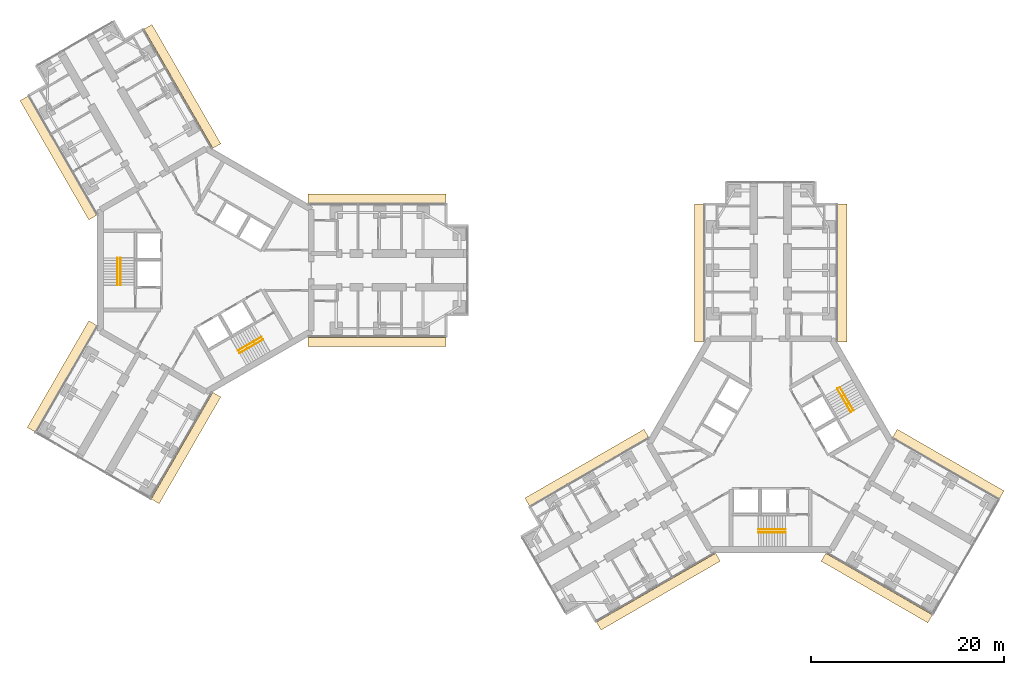
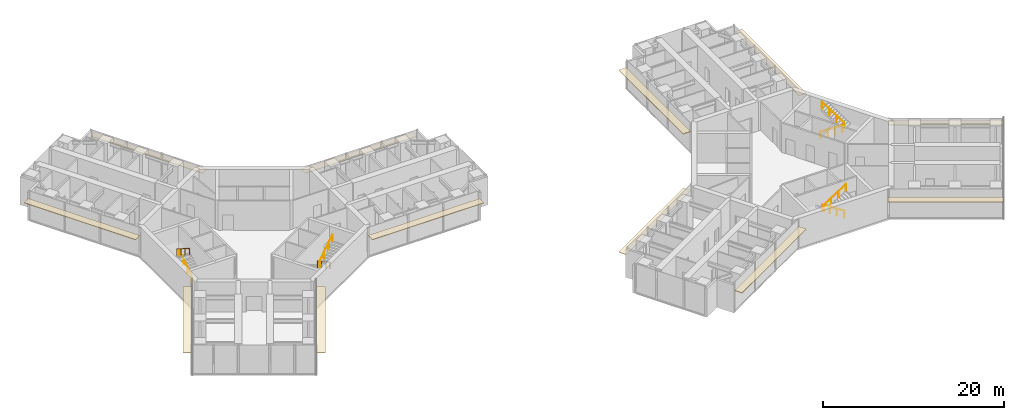
# One storey, part 22 of 22: 12 coverings, 8 railings.
"""IFC4 building model written with IfcOpenShell, lengths in metres."""

from ifc_helpers import new_model, si_unit, direction, frame, origin, origin_2d, place, context, subcontext, project, spatial, rectangle, circle, extrude, material, layer, layer_set, type_object, element, save


model = new_model("IFC4")

# Units and contexts
model_context = context("Model", 3, precision=1e-05, world=origin(), true_north=direction((0.0, 1.0)))
body_context = subcontext(model_context, "Body", "Model", "MODEL_VIEW")
ifc_project = project(units=[si_unit("LENGTHUNIT", "METRE"), si_unit("AREAUNIT", "SQUARE_METRE"), si_unit("VOLUMEUNIT", "CUBIC_METRE"), si_unit("PLANEANGLEUNIT", "RADIAN"), si_unit("MASSUNIT", "GRAM", prefix="KILO")], contexts=[model_context])

# Site, building, storey
site_placement = place(None, origin())
site = spatial("IfcSite", under=ifc_project, at=site_placement, CompositionType="ELEMENT")
building_placement = place(site_placement, origin())
building = spatial("IfcBuilding", under=site, at=building_placement, Name="Upepo Twin Towers", CompositionType="ELEMENT")
storey_placement = place(building_placement, frame((0.0, 0.0, 133.5)))
storey = spatial("IfcBuildingStorey", under=building, at=storey_placement, Name="L32", CompositionType="ELEMENT", Elevation=133.5)

# Coverings
ifc_material_1 = material(Name="Anodised aluminium, pale silver", Category="aluminium")
ifc_layer = layer(ifc_material_1, 0.080078125)
ifc_layer_set = layer_set([ifc_layer], Name="Brise-soleil blade 950 pale aluminium")
covering_type = type_object("IfcCoveringType", Name="Brise-soleil blade 950 pale aluminium", PredefinedType="USERDEFINED", material=ifc_layer_set)
for number, where, z_axis, x_axis, name in (
    (1, (17.718505859375, 7.4150390625, 2.909912109375), (0.0, 0.0, 1.0), (1.0, 0.0, 0.0), "T1 L32 wing A brise-soleil L"),
    (2, (17.718505859375, -7.4150390625, 2.909912109375), (0.0, 0.0, 1.0), (1.0, 0.0, 0.0), "T1 L32 wing A brise-soleil R"),
    (3, (-15.28076171875, 11.63720703125, 2.909912109375), (0.0, 0.0, 1.0), (-0.499999954655, 0.866025429964, 0.0), "T1 L32 wing B brise-soleil L"),
    (4, (-2.437744140625, 19.05224609375, 2.909912109375), (0.0, 0.0, 1.0), (-0.500000015115, 0.866025395058, 0.0), "T1 L32 wing B brise-soleil R"),
):
    element("IfcCovering", number, at=place(storey_placement, frame(where, z_axis=z_axis, x_axis=x_axis)), inside=storey, type_object=covering_type, Name=name, ObjectType="SUNSHADE", PredefinedType="USERDEFINED", context=body_context, shape_type="SweptSolid", body=[
        extrude(rectangle(XDim=14.262939453125, YDim=0.949951171875, at=origin_2d()), origin(), (0.0, 0.0, 1.0), 0.080078125),
    ])
for number, where, z_axis, x_axis, name in (
    (5, (-2.062744140625, -18.402587890625, 2.909912109375), (0.0, 0.0, 1.0), (-0.500000015115, -0.866025395058, 0.0), "T1 L32 wing C brise-soleil L"),
    (6, (-14.90576171875, -10.98779296875, 2.909912109375), (0.0, 0.0, 1.0), (-0.499999954655, -0.866025429964, 0.0), "T1 L32 wing C brise-soleil R"),
):
    element("IfcCovering", number, at=place(storey_placement, frame(where, z_axis=z_axis, x_axis=x_axis)), inside=storey, type_object=covering_type, Name=name, ObjectType="SUNSHADE", PredefinedType="USERDEFINED", context=body_context, shape_type="SweptSolid", body=[
        extrude(rectangle(XDim=12.762939453125, YDim=0.949951171875, at=origin_2d()), origin(), (0.0, 0.0, 1.0), 0.080078125),
    ])
for number, where, z_axis, x_axis, name in (
    (7, (51.0849609375, -0.281494140625, 2.909912109375), (0.0, 0.0, 1.0), (0.0, 1.0, 0.0), "T2 L32 wing A brise-soleil L"),
    (8, (65.9150390625, -0.281494140625, 2.909912109375), (0.0, 0.0, 1.0), (0.0, 1.0, 0.0), "T2 L32 wing A brise-soleil R"),
    (9, (46.86279296875, -33.28076171875, 2.909912109375), (0.0, 0.0, 1.0), (-0.866025429964, -0.499999954655, 0.0), "T2 L32 wing B brise-soleil L"),
    (10, (39.44775390625, -20.437744140625, 2.909912109375), (0.0, 0.0, 1.0), (-0.866025395058, -0.500000015115, 0.0), "T2 L32 wing B brise-soleil R"),
):
    element("IfcCovering", number, at=place(storey_placement, frame(where, z_axis=z_axis, x_axis=x_axis)), inside=storey, type_object=covering_type, Name=name, ObjectType="SUNSHADE", PredefinedType="USERDEFINED", context=body_context, shape_type="SweptSolid", body=[
        extrude(rectangle(XDim=14.262939453125, YDim=0.949951171875, at=origin_2d()), origin(), (0.0, 0.0, 1.0), 0.080078125),
    ])
for number, where, z_axis, x_axis, name in (
    (11, (76.902587890625, -20.062744140625, 2.909912109375), (0.0, 0.0, 1.0), (0.866025395058, -0.500000015115, 0.0), "T2 L32 wing C brise-soleil L"),
    (12, (69.48779296875, -32.90576171875, 2.909912109375), (0.0, 0.0, 1.0), (0.866025429964, -0.499999954655, 0.0), "T2 L32 wing C brise-soleil R"),
):
    element("IfcCovering", number, at=place(storey_placement, frame(where, z_axis=z_axis, x_axis=x_axis)), inside=storey, type_object=covering_type, Name=name, ObjectType="SUNSHADE", PredefinedType="USERDEFINED", context=body_context, shape_type="SweptSolid", body=[
        extrude(rectangle(XDim=12.762939453125, YDim=0.949951171875, at=origin_2d()), origin(), (0.0, 0.0, 1.0), 0.080078125),
    ])

# Railings
ifc_material_2 = material(Name="Stainless steel", Category="steel")
railing_type = type_object("IfcRailingType", Name="Stair handrail 900", PredefinedType="HANDRAIL", material=ifc_material_2)
railing_1_placement = place(storey_placement, frame((-8.85009765625, -1.52001953125, 0.181884765625)))
element("IfcRailing", 13, at=railing_1_placement, inside=storey, type_object=railing_type, Name="T1 stair S1 L32 handrail 1", PredefinedType="HANDRAIL", context=body_context, shape_type="SweptSolid", body=[
    extrude(circle(Radius=0.02392578125, at=origin_2d()), frame((0.0, 0.0, 0.8759765625), z_axis=(0.0, 0.838705829183, 0.544584733623), x_axis=(-1.0, 0.0, 0.0)), (0.0, 0.0, 1.0), 3.338623046875),
    extrude(circle(Radius=0.02099609375, at=origin_2d()), origin(), (0.0, 0.0, 1.0), 0.851806640625),
    extrude(circle(Radius=0.02099609375, at=origin_2d()), frame((0.0, 0.933349609375, 0.60595703125)), (0.0, 0.0, 1.0), 0.851806640625),
    extrude(circle(Radius=0.02099609375, at=origin_2d()), frame((0.0, 1.86669921875, 1.212158203125)), (0.0, 0.0, 1.0), 0.851806640625),
    extrude(circle(Radius=0.02099609375, at=origin_2d()), frame((0.0, 2.800048828125, 1.818115234375)), (0.0, 0.0, 1.0), 0.851806640625),
])
railing_2_placement = place(storey_placement, frame((-9.158447265625, 1.280029296875, 2.181884765625)))
element("IfcRailing", 14, at=railing_2_placement, inside=storey, type_object=railing_type, Name="T1 stair S1 L32 handrail 2", PredefinedType="HANDRAIL", context=body_context, shape_type="SweptSolid", body=[
    extrude(circle(Radius=0.02392578125, at=origin_2d()), frame((0.0, 0.0, 0.8759765625), z_axis=(0.0, -0.838705829183, 0.544584733623), x_axis=(1.0, 0.0, 0.0)), (0.0, 0.0, 1.0), 3.338623046875),
    extrude(circle(Radius=0.02099609375, at=origin_2d()), origin(), (0.0, 0.0, 1.0), 0.851806640625),
    extrude(circle(Radius=0.02099609375, at=origin_2d()), frame((0.0, -0.933349609375, 0.60595703125)), (0.0, 0.0, 1.0), 0.851806640625),
    extrude(circle(Radius=0.02099609375, at=origin_2d()), frame((0.0, -1.86669921875, 1.212158203125)), (0.0, 0.0, 1.0), 0.851806640625),
    extrude(circle(Radius=0.02099609375, at=origin_2d()), frame((0.0, -2.800048828125, 1.818115234375)), (0.0, 0.0, 1.0), 0.851806640625),
])
railing_3_placement = place(storey_placement, frame((5.741455078125, -6.904296875, 0.181884765625)))
element("IfcRailing", 15, at=railing_3_placement, inside=storey, type_object=railing_type, Name="T1 stair S2 L32 handrail 1", PredefinedType="HANDRAIL", context=body_context, shape_type="SweptSolid", body=[
    extrude(circle(Radius=0.02392578125, at=origin_2d()), frame((0.0, 0.0, 0.8759765625), z_axis=(-0.726348578268, -0.419370693282, 0.544560340518), x_axis=(0.500011755427, -0.866018616679, 0.0)), (0.0, 0.0, 1.0), 3.338623046875),
    extrude(circle(Radius=0.02099609375, at=origin_2d()), origin(), (0.0, 0.0, 1.0), 0.851806640625),
    extrude(circle(Radius=0.02099609375, at=origin_2d()), frame((-0.808349609375, -0.466796875, 0.60595703125)), (0.0, 0.0, 1.0), 0.851806640625),
    extrude(circle(Radius=0.02099609375, at=origin_2d()), frame((-1.61669921875, -0.933349609375, 1.212158203125)), (0.0, 0.0, 1.0), 0.851806640625),
    extrude(circle(Radius=0.02099609375, at=origin_2d()), frame((-2.425048828125, -1.400146484375, 1.818115234375)), (0.0, 0.0, 1.0), 0.851806640625),
])
railing_4_placement = place(storey_placement, frame((3.470703125, -8.5712890625, 2.181884765625)))
element("IfcRailing", 16, at=railing_4_placement, inside=storey, type_object=railing_type, Name="T1 stair S2 L32 handrail 2", PredefinedType="HANDRAIL", context=body_context, shape_type="SweptSolid", body=[
    extrude(circle(Radius=0.02392578125, at=origin_2d()), frame((0.0, 0.0, 0.8759765625), z_axis=(0.726336304947, 0.419332699614, 0.544605966869), x_axis=(-0.49998411664, 0.866034573852, 0.0)), (0.0, 0.0, 1.0), 3.33837890625),
    extrude(circle(Radius=0.02099609375, at=origin_2d()), origin(), (0.0, 0.0, 1.0), 0.851806640625),
    extrude(circle(Radius=0.02099609375, at=origin_2d()), frame((0.808349609375, 0.466552734375, 0.60595703125)), (0.0, 0.0, 1.0), 0.851806640625),
    extrude(circle(Radius=0.02099609375, at=origin_2d()), frame((1.616455078125, 0.933349609375, 1.212158203125)), (0.0, 0.0, 1.0), 0.851806640625),
    extrude(circle(Radius=0.02099609375, at=origin_2d()), frame((2.4248046875, 1.39990234375, 1.818115234375)), (0.0, 0.0, 1.0), 0.851806640625),
])
railing_5_placement = place(storey_placement, frame((60.02001953125, -26.85009765625, 0.181884765625)))
element("IfcRailing", 17, at=railing_5_placement, inside=storey, type_object=railing_type, Name="T2 stair S1 L32 handrail 1", PredefinedType="HANDRAIL", context=body_context, shape_type="SweptSolid", body=[
    extrude(circle(Radius=0.02392578125, at=origin_2d()), frame((0.0, 0.0, 0.8759765625), z_axis=(-0.838705829183, 0.0, 0.544584733623), x_axis=(0.0, -1.0, 0.0)), (0.0, 0.0, 1.0), 3.338623046875),
    extrude(circle(Radius=0.02099609375, at=origin_2d()), origin(), (0.0, 0.0, 1.0), 0.851806640625),
    extrude(circle(Radius=0.02099609375, at=origin_2d()), frame((-0.933349609375, 0.0, 0.60595703125)), (0.0, 0.0, 1.0), 0.851806640625),
    extrude(circle(Radius=0.02099609375, at=origin_2d()), frame((-1.86669921875, 0.0, 1.212158203125)), (0.0, 0.0, 1.0), 0.851806640625),
    extrude(circle(Radius=0.02099609375, at=origin_2d()), frame((-2.800048828125, 0.0, 1.818115234375)), (0.0, 0.0, 1.0), 0.851806640625),
])
railing_6_placement = place(storey_placement, frame((57.219970703125, -27.158447265625, 2.181884765625)))
element("IfcRailing", 18, at=railing_6_placement, inside=storey, type_object=railing_type, Name="T2 stair S1 L32 handrail 2", PredefinedType="HANDRAIL", context=body_context, shape_type="SweptSolid", body=[
    extrude(circle(Radius=0.02392578125, at=origin_2d()), frame((0.0, 0.0, 0.8759765625), z_axis=(0.838705829183, 0.0, 0.544584733623), x_axis=(0.0, 1.0, 0.0)), (0.0, 0.0, 1.0), 3.338623046875),
    extrude(circle(Radius=0.02099609375, at=origin_2d()), origin(), (0.0, 0.0, 1.0), 0.851806640625),
    extrude(circle(Radius=0.02099609375, at=origin_2d()), frame((0.933349609375, 0.0, 0.60595703125)), (0.0, 0.0, 1.0), 0.851806640625),
    extrude(circle(Radius=0.02099609375, at=origin_2d()), frame((1.86669921875, 0.0, 1.212158203125)), (0.0, 0.0, 1.0), 0.851806640625),
    extrude(circle(Radius=0.02099609375, at=origin_2d()), frame((2.800048828125, 0.0, 1.818115234375)), (0.0, 0.0, 1.0), 0.851806640625),
])
railing_7_placement = place(storey_placement, frame((65.404296875, -12.258544921875, 0.181884765625)))
element("IfcRailing", 19, at=railing_7_placement, inside=storey, type_object=railing_type, Name="T2 stair S2 L32 handrail 1", PredefinedType="HANDRAIL", context=body_context, shape_type="SweptSolid", body=[
    extrude(circle(Radius=0.02392578125, at=origin_2d()), frame((0.0, 0.0, 0.8759765625), z_axis=(0.419370693282, -0.726348578268, 0.544560340518), x_axis=(0.866018616679, 0.500011755427, 0.0)), (0.0, 0.0, 1.0), 3.338623046875),
    extrude(circle(Radius=0.02099609375, at=origin_2d()), origin(), (0.0, 0.0, 1.0), 0.851806640625),
    extrude(circle(Radius=0.02099609375, at=origin_2d()), frame((0.466796875, -0.808349609375, 0.60595703125)), (0.0, 0.0, 1.0), 0.851806640625),
    extrude(circle(Radius=0.02099609375, at=origin_2d()), frame((0.933349609375, -1.61669921875, 1.212158203125)), (0.0, 0.0, 1.0), 0.851806640625),
    extrude(circle(Radius=0.02099609375, at=origin_2d()), frame((1.400146484375, -2.425048828125, 1.818115234375)), (0.0, 0.0, 1.0), 0.851806640625),
])
railing_8_placement = place(storey_placement, frame((67.0712890625, -14.529296875, 2.181884765625)))
element("IfcRailing", 20, at=railing_8_placement, inside=storey, type_object=railing_type, Name="T2 stair S2 L32 handrail 2", PredefinedType="HANDRAIL", context=body_context, shape_type="SweptSolid", body=[
    extrude(circle(Radius=0.02392578125, at=origin_2d()), frame((0.0, 0.0, 0.8759765625), z_axis=(-0.419332699614, 0.726336304947, 0.544605966869), x_axis=(-0.866034573852, -0.49998411664, 0.0)), (0.0, 0.0, 1.0), 3.33837890625),
    extrude(circle(Radius=0.02099609375, at=origin_2d()), origin(), (0.0, 0.0, 1.0), 0.851806640625),
    extrude(circle(Radius=0.02099609375, at=origin_2d()), frame((-0.466552734375, 0.808349609375, 0.60595703125)), (0.0, 0.0, 1.0), 0.851806640625),
    extrude(circle(Radius=0.02099609375, at=origin_2d()), frame((-0.933349609375, 1.616455078125, 1.212158203125)), (0.0, 0.0, 1.0), 0.851806640625),
    extrude(circle(Radius=0.02099609375, at=origin_2d()), frame((-1.39990234375, 2.4248046875, 1.818115234375)), (0.0, 0.0, 1.0), 0.851806640625),
])

save(model, "model.ifc")
